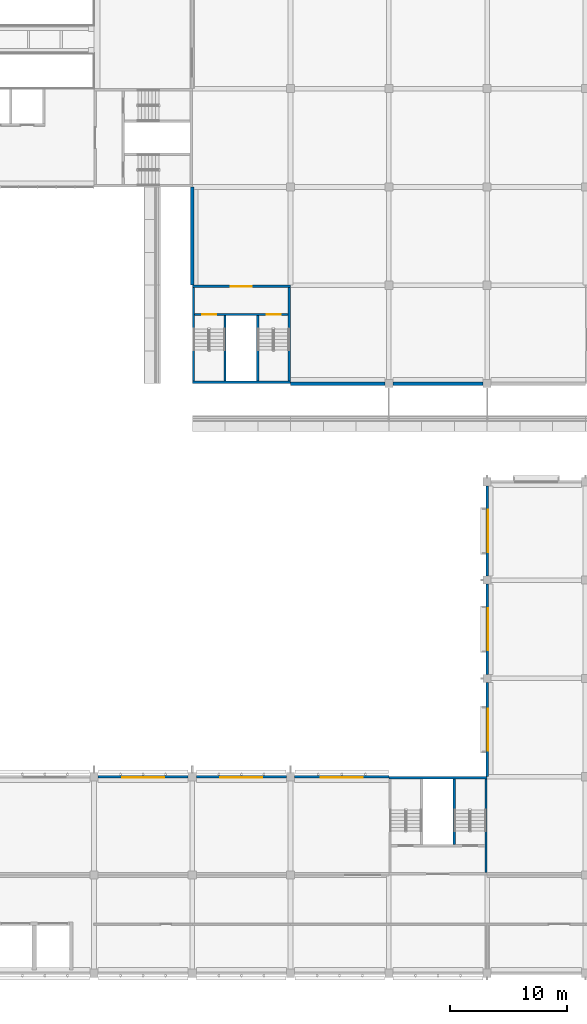
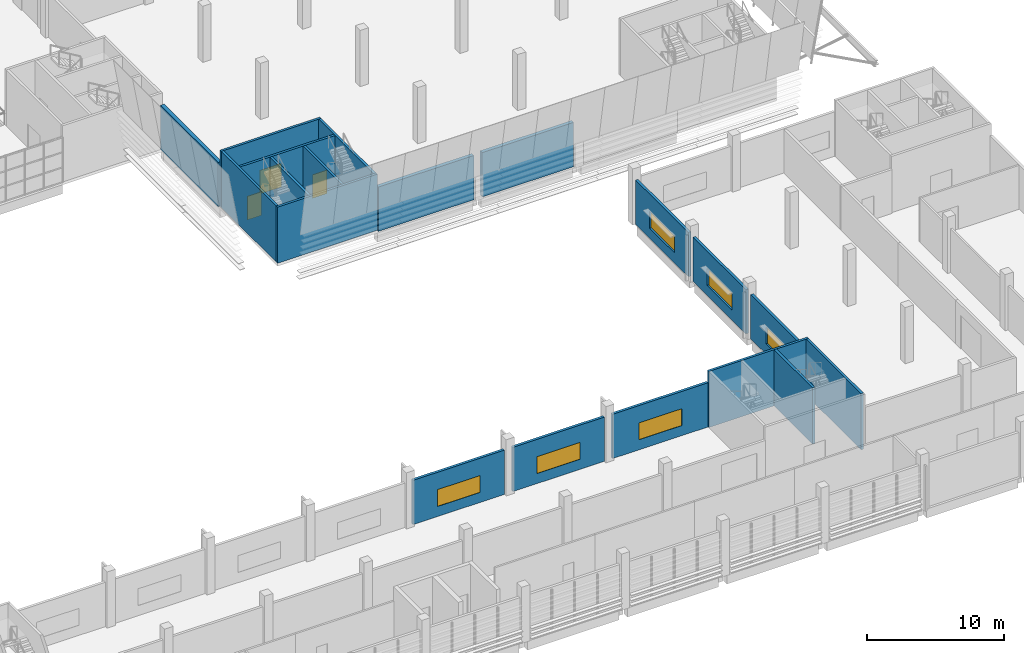
# One storey, part 22 of 82: 19 walls, 6 windows, 3 doors, 9 openings.
"""IFC4 building model written with IfcOpenShell, lengths in metres."""

from ifc_helpers import new_model, si_unit, direction, frame, frame_2d, origin, place, context, subcontext, project, spatial, rectangle, extrude, material, layer, layer_set, type_object, element, fill, save


model = new_model("IFC4")

# Units and contexts
model_context = context("Model", 3, precision=1e-05, world=origin(), true_north=direction((0.0, 1.0)))
body_context = subcontext(model_context, "Body", "Model", "MODEL_VIEW")
ifc_project = project(units=[si_unit("LENGTHUNIT", "METRE"), si_unit("AREAUNIT", "SQUARE_METRE"), si_unit("VOLUMEUNIT", "CUBIC_METRE"), si_unit("PLANEANGLEUNIT", "RADIAN"), si_unit("MASSUNIT", "GRAM", prefix="KILO")], contexts=[model_context])

# Site, building, storey
site_placement = place(None, origin())
site = spatial("IfcSite", under=ifc_project, at=site_placement, CompositionType="ELEMENT")
building_placement = place(site_placement, origin())
building = spatial("IfcBuilding", under=site, at=building_placement, Name="Almond Square Museum", CompositionType="ELEMENT")
storey_placement = place(building_placement, frame((0.0, 0.0, 20.0)))
storey = spatial("IfcBuildingStorey", under=building, at=storey_placement, Name="L03", CompositionType="ELEMENT", Elevation=20.0)

# Walls
ifc_material_1 = material(Name="Concrete C30/37", Category="concrete")
ifc_layer_1 = layer(ifc_material_1, 0.300048828125)
ifc_layer_set_1 = layer_set([ifc_layer_1], Name="Concrete C30/37")
wall_type_1 = type_object("IfcWallType", Name="Cast concrete wall 300 C30/37 behind louvre skin", PredefinedType="SOLIDWALL", material=ifc_layer_set_1)
wall_1_placement = place(storey_placement, frame((115.199951171875, 50.39990234375, 0.0), z_axis=(0.0, 0.0, 1.0), x_axis=(1.0, 0.0, 0.0)))
element("IfcWall", 1, at=wall_1_placement, inside=storey, type_object=wall_type_1, Name="External wall W1 V1 L03 S01", PredefinedType="SOLIDWALL", context=body_context, shape_type="SweptSolid", body=[
    extrude(rectangle(XDim=8.050048828125, YDim=0.300048828125, at=frame_2d((4.02490234375, 0.0))), origin(), (0.0, 0.0, 1.0), 3.93994140625),
])
wall_2_placement = place(storey_placement, frame((123.949951171875, 50.39990234375, 0.0), z_axis=(0.0, 0.0, 1.0), x_axis=(1.0, 0.0, 0.0)))
element("IfcWall", 2, at=wall_2_placement, inside=storey, type_object=wall_type_1, Name="External wall W1 V1 L03 S02", PredefinedType="SOLIDWALL", context=body_context, shape_type="SweptSolid", body=[
    extrude(rectangle(XDim=7.699951171875, YDim=0.300048828125, at=frame_2d((3.85009765625, 0.0))), origin(), (0.0, 0.0, 1.0), 3.93994140625),
])
wall_3_placement = place(storey_placement, frame((106.800048828125, 58.800048828125, 0.0), z_axis=(0.0, 0.0, 1.0), x_axis=(0.0, 1.0, 0.0)))
element("IfcWall", 3, at=wall_3_placement, inside=storey, type_object=wall_type_1, Name="External wall W1 V1 L03 W01", PredefinedType="SOLIDWALL", context=body_context, shape_type="SweptSolid", body=[
    extrude(rectangle(XDim=8.39990234375, YDim=0.300048828125, at=frame_2d((4.199951171875, 0.0))), origin(), (0.0, 0.0, 1.0), 3.93994140625),
])
ifc_material_2 = material(Name="Concrete C40/50", Category="concrete")
ifc_layer_2 = layer(ifc_material_2, 0.199951171875)
ifc_layer_set_2 = layer_set([ifc_layer_2], Name="Concrete C40/50")
wall_type_2 = type_object("IfcWallType", Name="RC shear wall 200 C40/50", PredefinedType="SHEAR", material=ifc_layer_set_2)
wall_4_placement = place(storey_placement, frame((106.800048828125, 50.5, 0.0), z_axis=(0.0, 0.0, 1.0), x_axis=(1.0, 0.0, 0.0)))
element("IfcWall", 4, at=wall_4_placement, inside=storey, type_object=wall_type_2, Name="Core H1 south wall L03", PredefinedType="SHEAR", context=body_context, shape_type="SweptSolid", body=[
    extrude(rectangle(XDim=8.39990234375, YDim=0.199951171875, at=frame_2d((4.199951171875, 0.0))), origin(), (0.0, 0.0, 1.0), 5.0),
])

# Wall, opening, door
wall_5_placement = place(storey_placement, frame((106.800048828125, 58.699951171875, 0.0), z_axis=(0.0, 0.0, 1.0), x_axis=(1.0, 0.0, 0.0)))
wall_5 = element("IfcWall", 5, at=wall_5_placement, inside=storey, type_object=wall_type_2, Name="Core H1 north wall L03", PredefinedType="SHEAR", context=body_context, shape_type="SweptSolid", body=[
    extrude(rectangle(XDim=8.39990234375, YDim=0.199951171875, at=frame_2d((4.199951171875, 0.0))), origin(), (0.0, 0.0, 1.0), 5.0),
])
opening_1_placement = place(wall_5_placement, frame((3.300048828125, 0.0, 0.0)))
opening_1 = element("IfcOpeningElement", 6, at=opening_1_placement, cuts=wall_5, Name="Opening D3136", PredefinedType="OPENING", context=body_context, shape_type="SweptSolid", body=[
    extrude(rectangle(XDim=1.800048828125, YDim=2.10009765625, at=frame_2d((0.89990234375, 1.050048828125))), frame((0.0, 0.10986328125, 0.0), z_axis=(0.0, -1.0, 0.0), x_axis=(1.0, 0.0, 0.0)), (0.0, 0.0, 1.0), 0.219970703125),
])
ifc_material_3 = material(Name="Steel", Category="steel")
door_type_1 = type_object("IfcDoorType", Name="Fire door 1800 x 2100 FD60 double", OperationType="NOTDEFINED", PredefinedType="DOOR", material=ifc_material_3)
door_1_placement = place(opening_1_placement, origin())
door_1 = element("IfcDoor", 7, at=door_1_placement, inside=storey, type_object=door_type_1, Name="L03 stair core H1 lobby door", OperationType="DOUBLE_DOOR_SINGLE_SWING", OverallHeight=2.10009765625, OverallWidth=1.800048828125, PredefinedType="DOOR", context=body_context, shape_type="SweptSolid", body=[
    extrude(rectangle(XDim=1.800048828125, YDim=2.10009765625, at=frame_2d((0.89990234375, 1.050048828125))), frame((0.0, 0.02490234375, 0.0), z_axis=(0.0, -1.0, 0.0), x_axis=(1.0, 0.0, 0.0)), (0.0, 0.0, 1.0), 0.050048828125),
])
fill(opening_1, door_1)

# Walls
for number, where, z_axis, x_axis, name in (
    (8, (106.89990234375, 50.60009765625, 0.0), (0.0, 0.0, 1.0), (0.0, 1.0, 0.0), "Core H1 west wall L03"),
    (9, (115.10009765625, 50.60009765625, 0.0), (0.0, 0.0, 1.0), (0.0, 1.0, 0.0), "Core H1 east wall L03"),
):
    element("IfcWall", number, at=place(storey_placement, frame(where, z_axis=z_axis, x_axis=x_axis)), inside=storey, type_object=wall_type_2, Name=name, PredefinedType="SHEAR", context=body_context, shape_type="SweptSolid", body=[
        extrude(rectangle(XDim=8.0, YDim=0.199951171875, at=frame_2d((4.0, 0.0))), origin(), (0.0, 0.0, 1.0), 5.0),
    ])

# Wall, openings, doors
wall_6_placement = place(storey_placement, frame((107.0, 56.300048828125, 0.0), z_axis=(0.0, 0.0, 1.0), x_axis=(1.0, 0.0, 0.0)))
wall_6 = element("IfcWall", 10, at=wall_6_placement, inside=storey, type_object=wall_type_2, Name="Core H1 lobby wall L03", PredefinedType="SHEAR", context=body_context, shape_type="SweptSolid", body=[
    extrude(rectangle(XDim=8.0, YDim=0.199951171875, at=frame_2d((4.0, 0.0))), origin(), (0.0, 0.0, 1.0), 5.0),
])
opening_2_placement = place(wall_6_placement, frame((0.64990234375, 0.0, 0.0)))
opening_2 = element("IfcOpeningElement", 11, at=opening_2_placement, cuts=wall_6, Name="Opening D3137", PredefinedType="OPENING", context=body_context, shape_type="SweptSolid", body=[
    extrude(rectangle(XDim=1.199951171875, YDim=2.10009765625, at=frame_2d((0.60009765625, 1.050048828125))), frame((0.0, 0.10986328125, 0.0), z_axis=(0.0, -1.0, 0.0), x_axis=(1.0, 0.0, 0.0)), (0.0, 0.0, 1.0), 0.219970703125),
])
opening_3_placement = place(wall_6_placement, frame((6.14990234375, 0.0, 0.0)))
opening_3 = element("IfcOpeningElement", 12, at=opening_3_placement, cuts=wall_6, Name="Opening D3138", PredefinedType="OPENING", context=body_context, shape_type="SweptSolid", body=[
    extrude(rectangle(XDim=1.199951171875, YDim=2.10009765625, at=frame_2d((0.60009765625, 1.050048828125))), frame((0.0, 0.10986328125, 0.0), z_axis=(0.0, -1.0, 0.0), x_axis=(1.0, 0.0, 0.0)), (0.0, 0.0, 1.0), 0.219970703125),
])
ifc_material_4 = material(Name="Steel", Category="steel")
door_type_2 = type_object("IfcDoorType", Name="Fire door 1200 x 2100 FD120 stair", OperationType="NOTDEFINED", PredefinedType="DOOR", material=ifc_material_4)
door_2_placement = place(opening_2_placement, origin())
door_2 = element("IfcDoor", 13, at=door_2_placement, inside=storey, type_object=door_type_2, Name="L03 stair H1-1 door", OperationType="SINGLE_SWING_LEFT", OverallHeight=2.10009765625, OverallWidth=1.199951171875, PredefinedType="DOOR", context=body_context, shape_type="SweptSolid", body=[
    extrude(rectangle(XDim=1.199951171875, YDim=2.10009765625, at=frame_2d((0.60009765625, 1.050048828125))), frame((0.0, 0.02490234375, 0.0), z_axis=(0.0, -1.0, 0.0), x_axis=(1.0, 0.0, 0.0)), (0.0, 0.0, 1.0), 0.050048828125),
])
fill(opening_2, door_2)
door_3_placement = place(opening_3_placement, origin())
door_3 = element("IfcDoor", 14, at=door_3_placement, inside=storey, type_object=door_type_2, Name="L03 stair H1-2 door", OperationType="SINGLE_SWING_RIGHT", OverallHeight=2.10009765625, OverallWidth=1.199951171875, PredefinedType="DOOR", context=body_context, shape_type="SweptSolid", body=[
    extrude(rectangle(XDim=1.199951171875, YDim=2.10009765625, at=frame_2d((0.60009765625, 1.050048828125))), frame((0.0, 0.02490234375, 0.0), z_axis=(0.0, -1.0, 0.0), x_axis=(1.0, 0.0, 0.0)), (0.0, 0.0, 1.0), 0.050048828125),
])
fill(opening_3, door_3)

# Walls
for number, where, z_axis, x_axis, name in (
    (15, (109.60009765625, 50.60009765625, 0.0), (0.0, 0.0, 1.0), (0.0, 1.0, 0.0), "Core H1 partition wall L03"),
    (16, (112.39990234375, 50.60009765625, 0.0), (0.0, 0.0, 1.0), (0.0, 1.0, 0.0), "Core H1 partition wall L03"),
):
    element("IfcWall", number, at=place(storey_placement, frame(where, z_axis=z_axis, x_axis=x_axis)), inside=storey, type_object=wall_type_2, Name=name, PredefinedType="SHEAR", context=body_context, shape_type="SweptSolid", body=[
        extrude(rectangle(XDim=5.599853515625, YDim=0.199951171875, at=frame_2d((2.7998046875, 0.0))), origin(), (0.0, 0.0, 1.0), 5.0),
    ])
wall_7_placement = place(storey_placement, frame((123.60009765625, 16.699951171875, 0.0), z_axis=(0.0, 0.0, 1.0), x_axis=(1.0, 0.0, 0.0)))
element("IfcWall", 17, at=wall_7_placement, inside=storey, type_object=wall_type_2, Name="Core S3 north wall L03", PredefinedType="SHEAR", context=body_context, shape_type="SweptSolid", body=[
    extrude(rectangle(XDim=8.39990234375, YDim=0.199951171875, at=frame_2d((4.199951171875, 0.0))), origin(), (0.0, 0.0, 1.0), 5.0),
])
wall_8_placement = place(storey_placement, frame((131.89990234375, 8.60009765625, 0.0), z_axis=(0.0, 0.0, 1.0), x_axis=(0.0, 1.0, 0.0)))
element("IfcWall", 18, at=wall_8_placement, inside=storey, type_object=wall_type_2, Name="Core S3 east wall L03", PredefinedType="SHEAR", context=body_context, shape_type="SweptSolid", body=[
    extrude(rectangle(XDim=8.0, YDim=0.199951171875, at=frame_2d((4.0, 0.0))), origin(), (0.0, 0.0, 1.0), 5.0),
])
wall_9_placement = place(storey_placement, frame((129.199951171875, 11.0, 0.0), z_axis=(0.0, 0.0, 1.0), x_axis=(0.0, 1.0, 0.0)))
element("IfcWall", 19, at=wall_9_placement, inside=storey, type_object=wall_type_2, Name="Core S3 partition wall L03", PredefinedType="SHEAR", context=body_context, shape_type="SweptSolid", body=[
    extrude(rectangle(XDim=5.60009765625, YDim=0.199951171875, at=frame_2d((2.800048828125, 0.0))), origin(), (0.0, 0.0, 1.0), 5.0),
])

# Wall, opening, window
ifc_material_5 = material(Name="Concrete C30/37", Category="concrete")
ifc_layer_3 = layer(ifc_material_5, 0.219970703125)
ifc_layer_set_3 = layer_set([ifc_layer_3], Name="Concrete C30/37")
wall_type_3 = type_object("IfcWallType", Name="Stucco panel wall 220 with insulation", PredefinedType="SOLIDWALL", material=ifc_layer_set_3)
wall_10_placement = place(storey_placement, frame((132.0, 33.949951171875, 0.0), z_axis=(0.0, 0.0, 1.0), x_axis=(0.0, 1.0, 0.0)))
wall_10 = element("IfcWall", 20, at=wall_10_placement, inside=storey, type_object=wall_type_3, Name="External wall W4 V5E L03 W01", PredefinedType="SOLIDWALL", context=body_context, shape_type="SweptSolid", body=[
    extrude(rectangle(XDim=7.699951171875, YDim=0.219970703125, at=frame_2d((3.85009765625, 0.0))), origin(), (0.0, 0.0, 1.0), 3.93994140625),
])
opening_4_placement = place(wall_10_placement, frame((2.050048828125, 0.0, 0.89990234375)))
opening_4 = element("IfcOpeningElement", 21, at=opening_4_placement, cuts=wall_10, Name="Opening W3003", PredefinedType="OPENING", context=body_context, shape_type="SweptSolid", body=[
    extrude(rectangle(XDim=3.60009765625, YDim=1.5, at=frame_2d((1.800048828125, 0.75))), frame((0.0, 0.119873046875, 0.0), z_axis=(0.0, -1.0, 0.0), x_axis=(1.0, 0.0, 0.0)), (0.0, 0.0, 1.0), 0.239990234375),
])
ifc_material_6 = material(Name="Aluminium frame and laminated glass", Category="aluminium")
window_type = type_object("IfcWindowType", Name="Office ribbon window", PartitioningType="SINGLE_PANEL", PredefinedType="WINDOW", material=ifc_material_6)
window_1_placement = place(opening_4_placement, origin())
window_1 = element("IfcWindow", 22, at=window_1_placement, inside=storey, type_object=window_type, Name="Office ribbon window W3003", OverallHeight=1.5, OverallWidth=3.60009765625, PartitioningType="DOUBLE_PANEL_VERTICAL", PredefinedType="WINDOW", context=body_context, shape_type="SweptSolid", body=[
    extrude(rectangle(XDim=3.60009765625, YDim=1.5, at=frame_2d((1.800048828125, 0.75))), frame((0.0, -0.030029296875, 0.0), z_axis=(0.0, -1.0, 0.0), x_axis=(1.0, 0.0, 0.0)), (0.0, 0.0, 1.0), 0.06005859375),
])
fill(opening_4, window_1)

wall_11_placement = place(storey_placement, frame((132.0, 25.550048828125, 0.0), z_axis=(0.0, 0.0, 1.0), x_axis=(0.0, 1.0, 0.0)))
wall_11 = element("IfcWall", 23, at=wall_11_placement, inside=storey, type_object=wall_type_3, Name="External wall W4 V5E L03 W02", PredefinedType="SOLIDWALL", context=body_context, shape_type="SweptSolid", body=[
    extrude(rectangle(XDim=7.699951171875, YDim=0.219970703125, at=frame_2d((3.85009765625, 0.0))), origin(), (0.0, 0.0, 1.0), 3.93994140625),
])
opening_5_placement = place(wall_11_placement, frame((2.050048828125, 0.0, 0.89990234375)))
opening_5 = element("IfcOpeningElement", 24, at=opening_5_placement, cuts=wall_11, Name="Opening W3004", PredefinedType="OPENING", context=body_context, shape_type="SweptSolid", body=[
    extrude(rectangle(XDim=3.60009765625, YDim=1.5, at=frame_2d((1.800048828125, 0.75))), frame((0.0, 0.119873046875, 0.0), z_axis=(0.0, -1.0, 0.0), x_axis=(1.0, 0.0, 0.0)), (0.0, 0.0, 1.0), 0.239990234375),
])
window_2_placement = place(opening_5_placement, origin())
window_2 = element("IfcWindow", 25, at=window_2_placement, inside=storey, type_object=window_type, Name="Office ribbon window W3004", OverallHeight=1.5, OverallWidth=3.60009765625, PartitioningType="DOUBLE_PANEL_VERTICAL", PredefinedType="WINDOW", context=body_context, shape_type="SweptSolid", body=[
    extrude(rectangle(XDim=3.60009765625, YDim=1.5, at=frame_2d((1.800048828125, 0.75))), frame((0.0, -0.030029296875, 0.0), z_axis=(0.0, -1.0, 0.0), x_axis=(1.0, 0.0, 0.0)), (0.0, 0.0, 1.0), 0.06005859375),
])
fill(opening_5, window_2)

wall_12_placement = place(storey_placement, frame((132.0, 16.800048828125, 0.0), z_axis=(0.0, 0.0, 1.0), x_axis=(0.0, 1.0, 0.0)))
wall_12 = element("IfcWall", 26, at=wall_12_placement, inside=storey, type_object=wall_type_3, Name="External wall W4 V5E L03 W03", PredefinedType="SOLIDWALL", context=body_context, shape_type="SweptSolid", body=[
    extrude(rectangle(XDim=8.050048828125, YDim=0.219970703125, at=frame_2d((4.02490234375, 0.0))), origin(), (0.0, 0.0, 1.0), 3.93994140625),
])
opening_6_placement = place(wall_12_placement, frame((2.22509765625, 0.0, 0.89990234375)))
opening_6 = element("IfcOpeningElement", 27, at=opening_6_placement, cuts=wall_12, Name="Opening W3005", PredefinedType="OPENING", context=body_context, shape_type="SweptSolid", body=[
    extrude(rectangle(XDim=3.60009765625, YDim=1.5, at=frame_2d((1.800048828125, 0.75))), frame((0.0, 0.119873046875, 0.0), z_axis=(0.0, -1.0, 0.0), x_axis=(1.0, 0.0, 0.0)), (0.0, 0.0, 1.0), 0.239990234375),
])
window_3_placement = place(opening_6_placement, origin())
window_3 = element("IfcWindow", 28, at=window_3_placement, inside=storey, type_object=window_type, Name="Office ribbon window W3005", OverallHeight=1.5, OverallWidth=3.60009765625, PartitioningType="DOUBLE_PANEL_VERTICAL", PredefinedType="WINDOW", context=body_context, shape_type="SweptSolid", body=[
    extrude(rectangle(XDim=3.60009765625, YDim=1.5, at=frame_2d((1.800048828125, 0.75))), frame((0.0, -0.030029296875, 0.0), z_axis=(0.0, -1.0, 0.0), x_axis=(1.0, 0.0, 0.0)), (0.0, 0.0, 1.0), 0.06005859375),
])
fill(opening_6, window_3)

wall_13_placement = place(storey_placement, frame((115.550048828125, 16.800048828125, 0.0), z_axis=(0.0, 0.0, 1.0), x_axis=(1.0, 0.0, 0.0)))
wall_13 = element("IfcWall", 29, at=wall_13_placement, inside=storey, type_object=wall_type_3, Name="External wall W4 V5S L03 N01", PredefinedType="SOLIDWALL", context=body_context, shape_type="SweptSolid", body=[
    extrude(rectangle(XDim=8.050048828125, YDim=0.219970703125, at=frame_2d((4.02490234375, 0.0))), origin(), (0.0, 0.0, 1.0), 3.93994140625),
])
opening_7_placement = place(wall_13_placement, frame((2.22509765625, 0.0, 0.89990234375)))
opening_7 = element("IfcOpeningElement", 30, at=opening_7_placement, cuts=wall_13, Name="Opening W3006", PredefinedType="OPENING", context=body_context, shape_type="SweptSolid", body=[
    extrude(rectangle(XDim=3.60009765625, YDim=1.5, at=frame_2d((1.800048828125, 0.75))), frame((0.0, 0.119873046875, 0.0), z_axis=(0.0, -1.0, 0.0), x_axis=(1.0, 0.0, 0.0)), (0.0, 0.0, 1.0), 0.239990234375),
])
window_4_placement = place(opening_7_placement, origin())
window_4 = element("IfcWindow", 31, at=window_4_placement, inside=storey, type_object=window_type, Name="Office ribbon window W3006", OverallHeight=1.5, OverallWidth=3.60009765625, PartitioningType="DOUBLE_PANEL_VERTICAL", PredefinedType="WINDOW", context=body_context, shape_type="SweptSolid", body=[
    extrude(rectangle(XDim=3.60009765625, YDim=1.5, at=frame_2d((1.800048828125, 0.75))), frame((0.0, -0.030029296875, 0.0), z_axis=(0.0, -1.0, 0.0), x_axis=(1.0, 0.0, 0.0)), (0.0, 0.0, 1.0), 0.06005859375),
])
fill(opening_7, window_4)

wall_14_placement = place(storey_placement, frame((107.14990234375, 16.800048828125, 0.0), z_axis=(0.0, 0.0, 1.0), x_axis=(1.0, 0.0, 0.0)))
wall_14 = element("IfcWall", 32, at=wall_14_placement, inside=storey, type_object=wall_type_3, Name="External wall W4 V5S L03 N02", PredefinedType="SOLIDWALL", context=body_context, shape_type="SweptSolid", body=[
    extrude(rectangle(XDim=7.7001953125, YDim=0.219970703125, at=frame_2d((3.85009765625, 0.0))), origin(), (0.0, 0.0, 1.0), 3.93994140625),
])
opening_8_placement = place(wall_14_placement, frame((2.050048828125, 0.0, 0.89990234375)))
opening_8 = element("IfcOpeningElement", 33, at=opening_8_placement, cuts=wall_14, Name="Opening W3007", PredefinedType="OPENING", context=body_context, shape_type="SweptSolid", body=[
    extrude(rectangle(XDim=3.60009765625, YDim=1.5, at=frame_2d((1.800048828125, 0.75))), frame((0.0, 0.119873046875, 0.0), z_axis=(0.0, -1.0, 0.0), x_axis=(1.0, 0.0, 0.0)), (0.0, 0.0, 1.0), 0.239990234375),
])
window_5_placement = place(opening_8_placement, origin())
window_5 = element("IfcWindow", 34, at=window_5_placement, inside=storey, type_object=window_type, Name="Office ribbon window W3007", OverallHeight=1.5, OverallWidth=3.60009765625, PartitioningType="DOUBLE_PANEL_VERTICAL", PredefinedType="WINDOW", context=body_context, shape_type="SweptSolid", body=[
    extrude(rectangle(XDim=3.60009765625, YDim=1.5, at=frame_2d((1.800048828125, 0.75))), frame((0.0, -0.030029296875, 0.0), z_axis=(0.0, -1.0, 0.0), x_axis=(1.0, 0.0, 0.0)), (0.0, 0.0, 1.0), 0.06005859375),
])
fill(opening_8, window_5)

wall_15_placement = place(storey_placement, frame((98.75, 16.800048828125, 0.0), z_axis=(0.0, 0.0, 1.0), x_axis=(1.0, 0.0, 0.0)))
wall_15 = element("IfcWall", 35, at=wall_15_placement, inside=storey, type_object=wall_type_3, Name="External wall W4 V5S L03 N03", PredefinedType="SOLIDWALL", context=body_context, shape_type="SweptSolid", body=[
    extrude(rectangle(XDim=7.699951171875, YDim=0.219970703125, at=frame_2d((3.85009765625, 0.0))), origin(), (0.0, 0.0, 1.0), 3.93994140625),
])
opening_9_placement = place(wall_15_placement, frame((2.050048828125, 0.0, 0.89990234375)))
opening_9 = element("IfcOpeningElement", 36, at=opening_9_placement, cuts=wall_15, Name="Opening W3008", PredefinedType="OPENING", context=body_context, shape_type="SweptSolid", body=[
    extrude(rectangle(XDim=3.60009765625, YDim=1.5, at=frame_2d((1.800048828125, 0.75))), frame((0.0, 0.119873046875, 0.0), z_axis=(0.0, -1.0, 0.0), x_axis=(1.0, 0.0, 0.0)), (0.0, 0.0, 1.0), 0.239990234375),
])
window_6_placement = place(opening_9_placement, origin())
window_6 = element("IfcWindow", 37, at=window_6_placement, inside=storey, type_object=window_type, Name="Office ribbon window W3008", OverallHeight=1.5, OverallWidth=3.60009765625, PartitioningType="DOUBLE_PANEL_VERTICAL", PredefinedType="WINDOW", context=body_context, shape_type="SweptSolid", body=[
    extrude(rectangle(XDim=3.60009765625, YDim=1.5, at=frame_2d((1.800048828125, 0.75))), frame((0.0, -0.030029296875, 0.0), z_axis=(0.0, -1.0, 0.0), x_axis=(1.0, 0.0, 0.0)), (0.0, 0.0, 1.0), 0.06005859375),
])
fill(opening_9, window_6)

save(model, "model.ifc")
